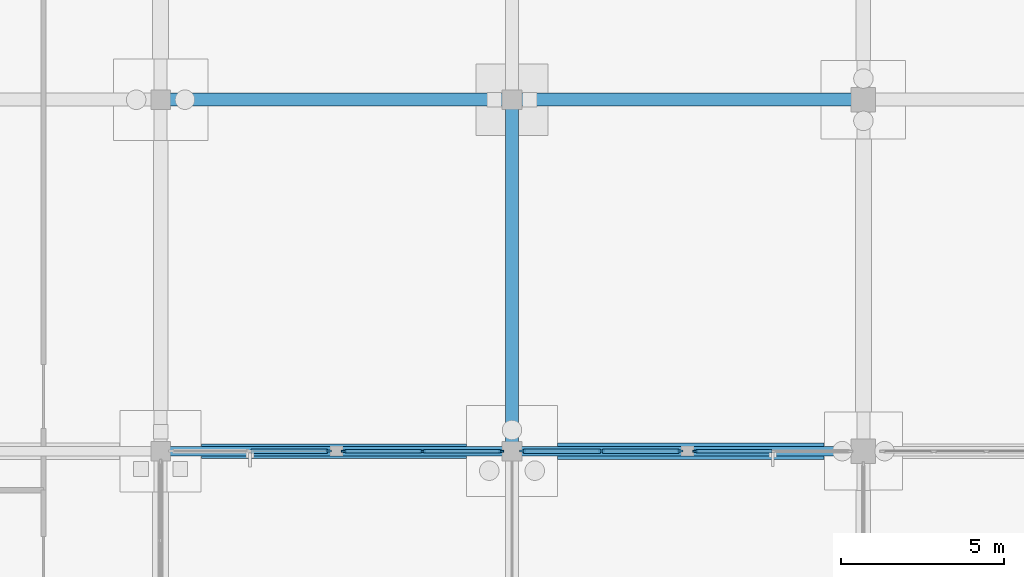
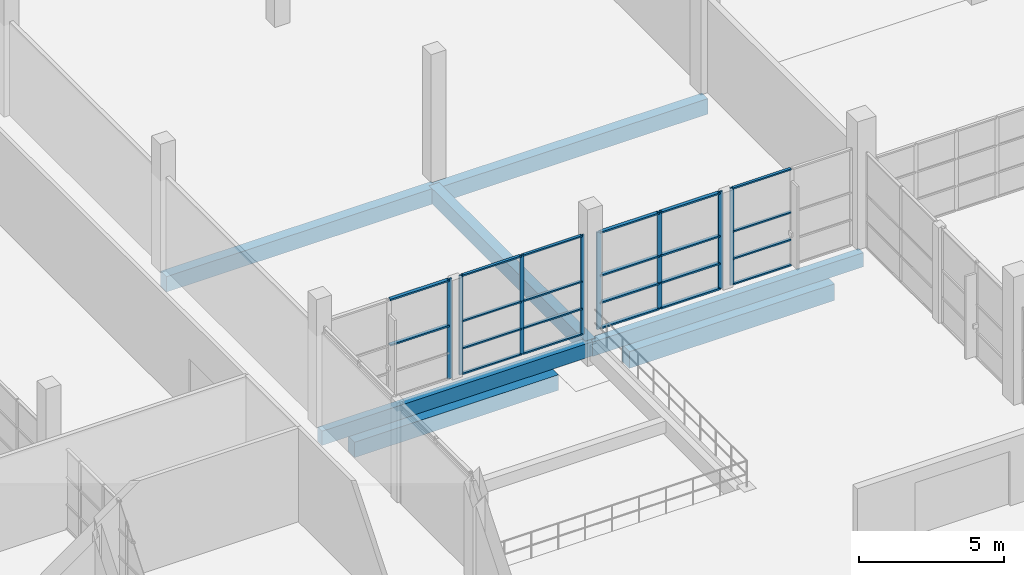
# One storey, part 44 of 138: 30 members, 7 beams, 4 elements without a shape of their own.
"""IFC4 building model written with IfcOpenShell, lengths in metres."""

from ifc_helpers import new_model, si_unit, direction, frame, origin, origin_2d, place, context, subcontext, project, spatial, rectangle, extrude, material, material_profile, profile_set, type_object, element, aggregate, save


model = new_model("IFC4")

# Units and contexts
model_context = context("Model", 3, precision=1e-05, world=origin(), true_north=direction((0.0, 1.0)))
body_context = subcontext(model_context, "Body", "Model", "MODEL_VIEW")
ifc_project = project(units=[si_unit("LENGTHUNIT", "METRE"), si_unit("AREAUNIT", "SQUARE_METRE"), si_unit("VOLUMEUNIT", "CUBIC_METRE"), si_unit("PLANEANGLEUNIT", "RADIAN"), si_unit("MASSUNIT", "GRAM", prefix="KILO")], contexts=[model_context])

# Site, building, storey
site_placement = place(None, origin())
site = spatial("IfcSite", under=ifc_project, at=site_placement, CompositionType="ELEMENT")
building_placement = place(site_placement, origin())
building = spatial("IfcBuilding", under=site, at=building_placement, Name="Zwinboog Wholesale Market", CompositionType="ELEMENT")
storey_placement = place(building_placement, origin())
storey = spatial("IfcBuildingStorey", under=building, at=storey_placement, Name="L00", CompositionType="ELEMENT", Elevation=0.0)

# Beams
ifc_material_1 = material(Name="Precast concrete C45/55", Category="concrete")
ifc_material_profile_1 = material_profile(ifc_material_1, rectangle(XDim=0.39990234375, YDim=0.64990234375, at=origin_2d()), Name="PC 400x650")
ifc_profile_set_1 = profile_set([ifc_material_profile_1], Name="Precast concrete C45/55")
beam_type_1 = type_object("IfcBeamType", Name="BT-05", PredefinedType="BEAM", material=ifc_profile_set_1)
for number, where, z_axis, x_axis, name in (
    (1, (43.199951171875, 75.60009765625, -0.6669921875), (1.0, 0.0, 0.0), (0.0, 1.0, 0.0), "BG-05 (BMG-L00-0432-0756-0103)"),
    (2, (54.0, 75.60009765625, -0.719970703125), (1.0, 0.0, 0.0), (0.0, 1.0, 0.0), "BG-05 (BMG-L00-0540-0756-0104)"),
    (3, (54.0, 64.800048828125, -0.659912109375), (0.0, 1.0, 0.0), (-1.0, 0.0, 0.0), "BG-05 (BMG-L00-0540-0648-0271)"),
):
    element("IfcBeam", number, at=place(storey_placement, frame(where, z_axis=z_axis, x_axis=x_axis)), inside=storey, type_object=beam_type_1, Name=name, PredefinedType="BEAM", context=body_context, shape_type="SweptSolid", body=[
        extrude(rectangle(XDim=0.39990234375, YDim=0.64990234375, at=origin_2d()), origin(), (0.0, 0.0, 1.0), 10.800048828125),
    ])
ifc_material_profile_2 = material_profile(ifc_material_1, rectangle(XDim=0.300048828125, YDim=0.60009765625, at=origin_2d()), Name="PC 300x600")
ifc_profile_set_2 = profile_set([ifc_material_profile_2], Name="Precast concrete C45/55")
beam_type_2 = type_object("IfcBeamType", Name="BT-09", PredefinedType="SPANDREL", material=ifc_profile_set_2)
for number, where, z_axis, x_axis, name in (
    (4, (43.199951171875, 64.800048828125, -0.64208984375), (1.0, 0.0, 0.0), (0.0, 1.0, 0.0), "SP-02 (BMG-L00-0432-0648-0087)"),
    (5, (54.0, 64.800048828125, -0.6650390625), (1.0, 0.0, 0.0), (0.0, 1.0, 0.0), "SP-02 (BMG-L00-0540-0648-0088)"),
):
    element("IfcBeam", number, at=place(storey_placement, frame(where, z_axis=z_axis, x_axis=x_axis)), inside=storey, type_object=beam_type_2, Name=name, PredefinedType="SPANDREL", context=body_context, shape_type="SweptSolid", body=[
        extrude(rectangle(XDim=0.300048828125, YDim=0.60009765625, at=origin_2d()), origin(), (0.0, 0.0, 1.0), 10.800048828125),
    ])
ifc_material_2 = material(Name="Concrete C35/45", Category="concrete")
ifc_material_profile_3 = material_profile(ifc_material_2, rectangle(XDim=0.5, YDim=0.699951171875, at=origin_2d()), Name="RC 500x700")
ifc_profile_set_3 = profile_set([ifc_material_profile_3], Name="Concrete C35/45")
beam_type_3 = type_object("IfcBeamType", Name="BT-12", PredefinedType="USERDEFINED", material=ifc_profile_set_3)
beam_1_placement = place(storey_placement, frame((55.405029296875, 64.800048828125, -1.550048828125), z_axis=(1.0, 0.0, 0.0), x_axis=(0.0, 1.0, 0.0)))
element("IfcBeam", 6, at=beam_1_placement, inside=storey, type_object=beam_type_3, Name="GB-01 (BM-GB-0055)", ObjectType="GROUND_BEAM", PredefinedType="USERDEFINED", context=body_context, shape_type="SweptSolid", body=[
    extrude(rectangle(XDim=0.5, YDim=0.699951171875, at=origin_2d()), origin(), (0.0, 0.0, 1.0), 8.18994140625),
])
ifc_material_profile_4 = material_profile(ifc_material_2, rectangle(XDim=0.449951171875, YDim=0.64990234375, at=origin_2d()), Name="RC 450x650")
ifc_profile_set_4 = profile_set([ifc_material_profile_4], Name="Concrete C35/45")
beam_type_4 = type_object("IfcBeamType", Name="BT-13", PredefinedType="USERDEFINED", material=ifc_profile_set_4)
beam_2_placement = place(storey_placement, frame((44.455078125, 64.800048828125, -1.52490234375), z_axis=(1.0, 0.0, 0.0), x_axis=(0.0, 1.0, 0.0)))
element("IfcBeam", 7, at=beam_2_placement, inside=storey, type_object=beam_type_4, Name="GB-02 (BM-GB-0054)", ObjectType="GROUND_BEAM", PredefinedType="USERDEFINED", context=body_context, shape_type="SweptSolid", body=[
    extrude(rectangle(XDim=0.449951171875, YDim=0.64990234375, at=origin_2d()), origin(), (0.0, 0.0, 1.0), 8.139892578125),
])

# Curtain wall, member
ifc_material_3 = material(Name="Aluminium thermally broken curtain wall", Category="aluminium")
curtain_wall_type_1 = type_object("IfcCurtainWallType", Name="CWT-HALL-24", PredefinedType="USERDEFINED", material=ifc_material_3)
curtain_wall_1_placement = place(storey_placement, origin())
curtain_wall_1 = element("IfcCurtainWall", 8, at=curtain_wall_1_placement, inside=storey, type_object=curtain_wall_type_1, Name="CW-03 (CW-L00-027)", ObjectType="UNITIZED_CURTAIN_WALL", PredefinedType="USERDEFINED")
ifc_material_4 = material(Name="Aluminium EN AW-6060", Category="aluminium")
ifc_material_profile_5 = material_profile(ifc_material_4, rectangle(XDim=0.06494140625, YDim=0.179931640625, at=origin_2d()), Name="AL 65x180")
ifc_profile_set_5 = profile_set([ifc_material_profile_5], Name="Aluminium EN AW-6060")
member_type_1 = type_object("IfcMemberType", Name="CWM-65x180", PredefinedType="MULLION", material=ifc_profile_set_5)
member_1_placement = place(storey_placement, frame((48.367431640625, 64.800048828125, 0.0), z_axis=(0.0, 0.0, 1.0), x_axis=(0.0, 1.0, 0.0)))
member_1 = element("IfcMember", 9, at=member_1_placement, type_object=member_type_1, Name="CW-03 mullion 3", PredefinedType="MULLION", context=body_context, shape_type="SweptSolid", body=[
    extrude(rectangle(XDim=0.06494140625, YDim=0.179931640625, at=origin_2d()), origin(), (0.0, 0.0, 1.0), 4.197998046875),
])

# Curtain wall, members
curtain_wall_type_2 = type_object("IfcCurtainWallType", Name="CWT-CAFE-22", PredefinedType="USERDEFINED", material=ifc_material_3)
curtain_wall_2_placement = place(storey_placement, origin())
curtain_wall_2 = element("IfcCurtainWall", 10, at=curtain_wall_2_placement, inside=storey, type_object=curtain_wall_type_2, Name="CW-05 (CW-L00-029)", ObjectType="STOREFRONT_GLAZING", PredefinedType="USERDEFINED")
member_2_placement = place(storey_placement, frame((54.327392578125, 64.800048828125, 0.0), z_axis=(0.0, 0.0, 1.0), x_axis=(0.0, 1.0, 0.0)))
member_2 = element("IfcMember", 11, at=member_2_placement, type_object=member_type_1, Name="CW-05 mullion 1", PredefinedType="MULLION", context=body_context, shape_type="SweptSolid", body=[
    extrude(rectangle(XDim=0.06494140625, YDim=0.179931640625, at=origin_2d()), origin(), (0.0, 0.0, 1.0), 4.097900390625),
])
member_3_placement = place(storey_placement, frame((56.74755859375, 64.800048828125, 0.0), z_axis=(0.0, 0.0, 1.0), x_axis=(0.0, 1.0, 0.0)))
member_3 = element("IfcMember", 12, at=member_3_placement, type_object=member_type_1, Name="CW-05 mullion 2", PredefinedType="MULLION", context=body_context, shape_type="SweptSolid", body=[
    extrude(rectangle(XDim=0.06494140625, YDim=0.179931640625, at=origin_2d()), origin(), (0.0, 0.0, 1.0), 4.097900390625),
])
member_4_placement = place(storey_placement, frame((59.16748046875, 64.800048828125, 0.0), z_axis=(0.0, 0.0, 1.0), x_axis=(0.0, 1.0, 0.0)))
member_4 = element("IfcMember", 13, at=member_4_placement, type_object=member_type_1, Name="CW-05 mullion 3", PredefinedType="MULLION", context=body_context, shape_type="SweptSolid", body=[
    extrude(rectangle(XDim=0.06494140625, YDim=0.179931640625, at=origin_2d()), origin(), (0.0, 0.0, 1.0), 4.097900390625),
])

curtain_wall_type_3 = type_object("IfcCurtainWallType", Name="CWT-GAL-16", PredefinedType="USERDEFINED", material=ifc_material_3)
curtain_wall_3_placement = place(storey_placement, origin())
curtain_wall_3 = element("IfcCurtainWall", 14, at=curtain_wall_3_placement, inside=storey, type_object=curtain_wall_type_3, Name="CW-04 (CW-L00-028)", ObjectType="UNITIZED_CURTAIN_WALL", PredefinedType="USERDEFINED")
ifc_material_profile_6 = material_profile(ifc_material_4, rectangle(XDim=0.06005859375, YDim=0.14990234375, at=origin_2d()), Name="AL 60x150")
ifc_profile_set_6 = profile_set([ifc_material_profile_6], Name="Aluminium EN AW-6060")
member_type_2 = type_object("IfcMemberType", Name="CWM-60x150", PredefinedType="MULLION", material=ifc_profile_set_6)
member_5_placement = place(storey_placement, frame((48.830078125, 64.800048828125, 0.0), z_axis=(0.0, 0.0, 1.0), x_axis=(0.0, 1.0, 0.0)))
member_5 = element("IfcMember", 15, at=member_5_placement, type_object=member_type_2, Name="CW-04 mullion 1", PredefinedType="MULLION", context=body_context, shape_type="SweptSolid", body=[
    extrude(rectangle(XDim=0.06005859375, YDim=0.14990234375, at=origin_2d()), origin(), (0.0, 0.0, 1.0), 4.197998046875),
])
member_6_placement = place(storey_placement, frame((51.25244140625, 64.800048828125, 0.0), z_axis=(0.0, 0.0, 1.0), x_axis=(0.0, 1.0, 0.0)))
member_6 = element("IfcMember", 16, at=member_6_placement, type_object=member_type_2, Name="CW-04 mullion 2", PredefinedType="MULLION", context=body_context, shape_type="SweptSolid", body=[
    extrude(rectangle(XDim=0.06005859375, YDim=0.14990234375, at=origin_2d()), origin(), (0.0, 0.0, 1.0), 4.197998046875),
])
member_7_placement = place(storey_placement, frame((53.675048828125, 64.800048828125, 0.0), z_axis=(0.0, 0.0, 1.0), x_axis=(0.0, 1.0, 0.0)))
member_7 = element("IfcMember", 17, at=member_7_placement, type_object=member_type_2, Name="CW-04 mullion 3", PredefinedType="MULLION", context=body_context, shape_type="SweptSolid", body=[
    extrude(rectangle(XDim=0.06005859375, YDim=0.14990234375, at=origin_2d()), origin(), (0.0, 0.0, 1.0), 4.197998046875),
])

# Curtain wall, member
curtain_wall_type_4 = type_object("IfcCurtainWallType", Name="CWT-OFF-15", PredefinedType="USERDEFINED", material=ifc_material_3)
curtain_wall_4_placement = place(storey_placement, origin())
curtain_wall_4 = element("IfcCurtainWall", 18, at=curtain_wall_4_placement, inside=storey, type_object=curtain_wall_type_4, Name="CW-06 (CW-L00-030)", ObjectType="UNITIZED_CURTAIN_WALL", PredefinedType="USERDEFINED")
member_8_placement = place(storey_placement, frame((59.6298828125, 64.800048828125, 0.0), z_axis=(0.0, 0.0, 1.0), x_axis=(0.0, 1.0, 0.0)))
member_8 = element("IfcMember", 19, at=member_8_placement, type_object=member_type_2, Name="CW-06 mullion 1", PredefinedType="MULLION", context=body_context, shape_type="SweptSolid", body=[
    extrude(rectangle(XDim=0.06005859375, YDim=0.14990234375, at=origin_2d()), origin(), (0.0, 0.0, 1.0), 4.097900390625),
])

# Member
ifc_material_profile_7 = material_profile(ifc_material_4, rectangle(XDim=0.139892578125, YDim=0.06494140625, at=origin_2d()), Name="AL 65x140")
ifc_profile_set_7 = profile_set([ifc_material_profile_7], Name="Aluminium EN AW-6060")
member_type_3 = type_object("IfcMemberType", Name="CWT-65x140", PredefinedType="USERDEFINED", material=ifc_profile_set_7)
member_9_placement = place(storey_placement, frame((45.97998046875, 64.800048828125, 2.25), z_axis=(1.0, 0.0, 0.0), x_axis=(0.0, 1.0, 0.0)))
member_9 = element("IfcMember", 20, at=member_9_placement, type_object=member_type_3, Name="CW-03 transom 2.3", ObjectType="TRANSOM", PredefinedType="USERDEFINED", context=body_context, shape_type="SweptSolid", body=[
    extrude(rectangle(XDim=0.139892578125, YDim=0.06494140625, at=origin_2d()), origin(), (0.0, 0.0, 1.0), 2.35498046875),
])

member_10_placement = place(storey_placement, frame((45.97998046875, 64.800048828125, 4.16552734375), z_axis=(1.0, 0.0, 0.0), x_axis=(0.0, 1.0, 0.0)))
member_10 = element("IfcMember", 21, at=member_10_placement, type_object=member_type_3, Name="CW-03 transom 2.4", ObjectType="TRANSOM", PredefinedType="USERDEFINED", context=body_context, shape_type="SweptSolid", body=[
    extrude(rectangle(XDim=0.139892578125, YDim=0.06494140625, at=origin_2d()), origin(), (0.0, 0.0, 1.0), 2.35498046875),
])

aggregate(curtain_wall_1, [member_1, member_9, member_10])

member_11_placement = place(storey_placement, frame((54.360107421875, 64.800048828125, 0.032470703125), z_axis=(1.0, 0.0, 0.0), x_axis=(0.0, 1.0, 0.0)))
member_11 = element("IfcMember", 22, at=member_11_placement, type_object=member_type_3, Name="CW-05 transom 1.1", ObjectType="TRANSOM", PredefinedType="USERDEFINED", context=body_context, shape_type="SweptSolid", body=[
    extrude(rectangle(XDim=0.139892578125, YDim=0.06494140625, at=origin_2d()), origin(), (0.0, 0.0, 1.0), 2.35498046875),
])

member_12_placement = place(storey_placement, frame((54.360107421875, 64.800048828125, 1.10009765625), z_axis=(1.0, 0.0, 0.0), x_axis=(0.0, 1.0, 0.0)))
member_12 = element("IfcMember", 23, at=member_12_placement, type_object=member_type_3, Name="CW-05 transom 1.2", ObjectType="TRANSOM", PredefinedType="USERDEFINED", context=body_context, shape_type="SweptSolid", body=[
    extrude(rectangle(XDim=0.139892578125, YDim=0.06494140625, at=origin_2d()), origin(), (0.0, 0.0, 1.0), 2.35498046875),
])

member_13_placement = place(storey_placement, frame((54.360107421875, 64.800048828125, 2.25), z_axis=(1.0, 0.0, 0.0), x_axis=(0.0, 1.0, 0.0)))
member_13 = element("IfcMember", 24, at=member_13_placement, type_object=member_type_3, Name="CW-05 transom 1.3", ObjectType="TRANSOM", PredefinedType="USERDEFINED", context=body_context, shape_type="SweptSolid", body=[
    extrude(rectangle(XDim=0.139892578125, YDim=0.06494140625, at=origin_2d()), origin(), (0.0, 0.0, 1.0), 2.35498046875),
])

member_14_placement = place(storey_placement, frame((54.360107421875, 64.800048828125, 4.0654296875), z_axis=(1.0, 0.0, 0.0), x_axis=(0.0, 1.0, 0.0)))
member_14 = element("IfcMember", 25, at=member_14_placement, type_object=member_type_3, Name="CW-05 transom 1.4", ObjectType="TRANSOM", PredefinedType="USERDEFINED", context=body_context, shape_type="SweptSolid", body=[
    extrude(rectangle(XDim=0.139892578125, YDim=0.06494140625, at=origin_2d()), origin(), (0.0, 0.0, 1.0), 2.35498046875),
])

member_15_placement = place(storey_placement, frame((56.780029296875, 64.800048828125, 0.032470703125), z_axis=(1.0, 0.0, 0.0), x_axis=(0.0, 1.0, 0.0)))
member_15 = element("IfcMember", 26, at=member_15_placement, type_object=member_type_3, Name="CW-05 transom 2.1", ObjectType="TRANSOM", PredefinedType="USERDEFINED", context=body_context, shape_type="SweptSolid", body=[
    extrude(rectangle(XDim=0.139892578125, YDim=0.06494140625, at=origin_2d()), origin(), (0.0, 0.0, 1.0), 2.35498046875),
])

member_16_placement = place(storey_placement, frame((56.780029296875, 64.800048828125, 1.10009765625), z_axis=(1.0, 0.0, 0.0), x_axis=(0.0, 1.0, 0.0)))
member_16 = element("IfcMember", 27, at=member_16_placement, type_object=member_type_3, Name="CW-05 transom 2.2", ObjectType="TRANSOM", PredefinedType="USERDEFINED", context=body_context, shape_type="SweptSolid", body=[
    extrude(rectangle(XDim=0.139892578125, YDim=0.06494140625, at=origin_2d()), origin(), (0.0, 0.0, 1.0), 2.35498046875),
])

member_17_placement = place(storey_placement, frame((56.780029296875, 64.800048828125, 2.25), z_axis=(1.0, 0.0, 0.0), x_axis=(0.0, 1.0, 0.0)))
member_17 = element("IfcMember", 28, at=member_17_placement, type_object=member_type_3, Name="CW-05 transom 2.3", ObjectType="TRANSOM", PredefinedType="USERDEFINED", context=body_context, shape_type="SweptSolid", body=[
    extrude(rectangle(XDim=0.139892578125, YDim=0.06494140625, at=origin_2d()), origin(), (0.0, 0.0, 1.0), 2.35498046875),
])

member_18_placement = place(storey_placement, frame((56.780029296875, 64.800048828125, 4.0654296875), z_axis=(1.0, 0.0, 0.0), x_axis=(0.0, 1.0, 0.0)))
member_18 = element("IfcMember", 29, at=member_18_placement, type_object=member_type_3, Name="CW-05 transom 2.4", ObjectType="TRANSOM", PredefinedType="USERDEFINED", context=body_context, shape_type="SweptSolid", body=[
    extrude(rectangle(XDim=0.139892578125, YDim=0.06494140625, at=origin_2d()), origin(), (0.0, 0.0, 1.0), 2.35498046875),
])

aggregate(curtain_wall_2, [member_2, member_3, member_4, member_11, member_12, member_13, member_14, member_15, member_16, member_17, member_18])

ifc_material_profile_8 = material_profile(ifc_material_4, rectangle(XDim=0.110107421875, YDim=0.06005859375, at=origin_2d()), Name="AL 60x110")
ifc_profile_set_8 = profile_set([ifc_material_profile_8], Name="Aluminium EN AW-6060")
member_type_4 = type_object("IfcMemberType", Name="CWT-60x110", PredefinedType="USERDEFINED", material=ifc_profile_set_8)
member_19_placement = place(storey_placement, frame((48.860107421875, 64.800048828125, 0.030029296875), z_axis=(1.0, 0.0, 0.0), x_axis=(0.0, 1.0, 0.0)))
member_19 = element("IfcMember", 30, at=member_19_placement, type_object=member_type_4, Name="CW-04 transom 1.1", ObjectType="TRANSOM", PredefinedType="USERDEFINED", context=body_context, shape_type="SweptSolid", body=[
    extrude(rectangle(XDim=0.110107421875, YDim=0.06005859375, at=origin_2d()), origin(), (0.0, 0.0, 1.0), 2.3623046875),
])

member_20_placement = place(storey_placement, frame((48.860107421875, 64.800048828125, 1.10009765625), z_axis=(1.0, 0.0, 0.0), x_axis=(0.0, 1.0, 0.0)))
member_20 = element("IfcMember", 31, at=member_20_placement, type_object=member_type_4, Name="CW-04 transom 1.2", ObjectType="TRANSOM", PredefinedType="USERDEFINED", context=body_context, shape_type="SweptSolid", body=[
    extrude(rectangle(XDim=0.110107421875, YDim=0.06005859375, at=origin_2d()), origin(), (0.0, 0.0, 1.0), 2.3623046875),
])

member_21_placement = place(storey_placement, frame((48.860107421875, 64.800048828125, 2.25), z_axis=(1.0, 0.0, 0.0), x_axis=(0.0, 1.0, 0.0)))
member_21 = element("IfcMember", 32, at=member_21_placement, type_object=member_type_4, Name="CW-04 transom 1.3", ObjectType="TRANSOM", PredefinedType="USERDEFINED", context=body_context, shape_type="SweptSolid", body=[
    extrude(rectangle(XDim=0.110107421875, YDim=0.06005859375, at=origin_2d()), origin(), (0.0, 0.0, 1.0), 2.3623046875),
])

member_22_placement = place(storey_placement, frame((48.860107421875, 64.800048828125, 4.16796875), z_axis=(1.0, 0.0, 0.0), x_axis=(0.0, 1.0, 0.0)))
member_22 = element("IfcMember", 33, at=member_22_placement, type_object=member_type_4, Name="CW-04 transom 1.4", ObjectType="TRANSOM", PredefinedType="USERDEFINED", context=body_context, shape_type="SweptSolid", body=[
    extrude(rectangle(XDim=0.110107421875, YDim=0.06005859375, at=origin_2d()), origin(), (0.0, 0.0, 1.0), 2.3623046875),
])

member_23_placement = place(storey_placement, frame((51.282470703125, 64.800048828125, 0.030029296875), z_axis=(1.0, 0.0, 0.0), x_axis=(0.0, 1.0, 0.0)))
member_23 = element("IfcMember", 34, at=member_23_placement, type_object=member_type_4, Name="CW-04 transom 2.1", ObjectType="TRANSOM", PredefinedType="USERDEFINED", context=body_context, shape_type="SweptSolid", body=[
    extrude(rectangle(XDim=0.110107421875, YDim=0.06005859375, at=origin_2d()), origin(), (0.0, 0.0, 1.0), 2.362548828125),
])

member_24_placement = place(storey_placement, frame((51.282470703125, 64.800048828125, 1.10009765625), z_axis=(1.0, 0.0, 0.0), x_axis=(0.0, 1.0, 0.0)))
member_24 = element("IfcMember", 35, at=member_24_placement, type_object=member_type_4, Name="CW-04 transom 2.2", ObjectType="TRANSOM", PredefinedType="USERDEFINED", context=body_context, shape_type="SweptSolid", body=[
    extrude(rectangle(XDim=0.110107421875, YDim=0.06005859375, at=origin_2d()), origin(), (0.0, 0.0, 1.0), 2.362548828125),
])

member_25_placement = place(storey_placement, frame((51.282470703125, 64.800048828125, 2.25), z_axis=(1.0, 0.0, 0.0), x_axis=(0.0, 1.0, 0.0)))
member_25 = element("IfcMember", 36, at=member_25_placement, type_object=member_type_4, Name="CW-04 transom 2.3", ObjectType="TRANSOM", PredefinedType="USERDEFINED", context=body_context, shape_type="SweptSolid", body=[
    extrude(rectangle(XDim=0.110107421875, YDim=0.06005859375, at=origin_2d()), origin(), (0.0, 0.0, 1.0), 2.362548828125),
])

member_26_placement = place(storey_placement, frame((51.282470703125, 64.800048828125, 4.16796875), z_axis=(1.0, 0.0, 0.0), x_axis=(0.0, 1.0, 0.0)))
member_26 = element("IfcMember", 37, at=member_26_placement, type_object=member_type_4, Name="CW-04 transom 2.4", ObjectType="TRANSOM", PredefinedType="USERDEFINED", context=body_context, shape_type="SweptSolid", body=[
    extrude(rectangle(XDim=0.110107421875, YDim=0.06005859375, at=origin_2d()), origin(), (0.0, 0.0, 1.0), 2.362548828125),
])

aggregate(curtain_wall_3, [member_5, member_6, member_7, member_19, member_20, member_21, member_22, member_23, member_24, member_25, member_26])

member_27_placement = place(storey_placement, frame((59.659912109375, 64.800048828125, 0.030029296875), z_axis=(1.0, 0.0, 0.0), x_axis=(0.0, 1.0, 0.0)))
member_27 = element("IfcMember", 38, at=member_27_placement, type_object=member_type_4, Name="CW-06 transom 1.1", ObjectType="TRANSOM", PredefinedType="USERDEFINED", context=body_context, shape_type="SweptSolid", body=[
    extrude(rectangle(XDim=0.110107421875, YDim=0.06005859375, at=origin_2d()), origin(), (0.0, 0.0, 1.0), 2.3251953125),
])

member_28_placement = place(storey_placement, frame((59.659912109375, 64.800048828125, 1.10009765625), z_axis=(1.0, 0.0, 0.0), x_axis=(0.0, 1.0, 0.0)))
member_28 = element("IfcMember", 39, at=member_28_placement, type_object=member_type_4, Name="CW-06 transom 1.2", ObjectType="TRANSOM", PredefinedType="USERDEFINED", context=body_context, shape_type="SweptSolid", body=[
    extrude(rectangle(XDim=0.110107421875, YDim=0.06005859375, at=origin_2d()), origin(), (0.0, 0.0, 1.0), 2.3251953125),
])

member_29_placement = place(storey_placement, frame((59.659912109375, 64.800048828125, 2.25), z_axis=(1.0, 0.0, 0.0), x_axis=(0.0, 1.0, 0.0)))
member_29 = element("IfcMember", 40, at=member_29_placement, type_object=member_type_4, Name="CW-06 transom 1.3", ObjectType="TRANSOM", PredefinedType="USERDEFINED", context=body_context, shape_type="SweptSolid", body=[
    extrude(rectangle(XDim=0.110107421875, YDim=0.06005859375, at=origin_2d()), origin(), (0.0, 0.0, 1.0), 2.3251953125),
])

member_30_placement = place(storey_placement, frame((59.659912109375, 64.800048828125, 4.068115234375), z_axis=(1.0, 0.0, 0.0), x_axis=(0.0, 1.0, 0.0)))
member_30 = element("IfcMember", 41, at=member_30_placement, type_object=member_type_4, Name="CW-06 transom 1.4", ObjectType="TRANSOM", PredefinedType="USERDEFINED", context=body_context, shape_type="SweptSolid", body=[
    extrude(rectangle(XDim=0.110107421875, YDim=0.06005859375, at=origin_2d()), origin(), (0.0, 0.0, 1.0), 2.3251953125),
])

aggregate(curtain_wall_4, [member_8, member_27, member_28, member_29, member_30])

save(model, "model.ifc")
